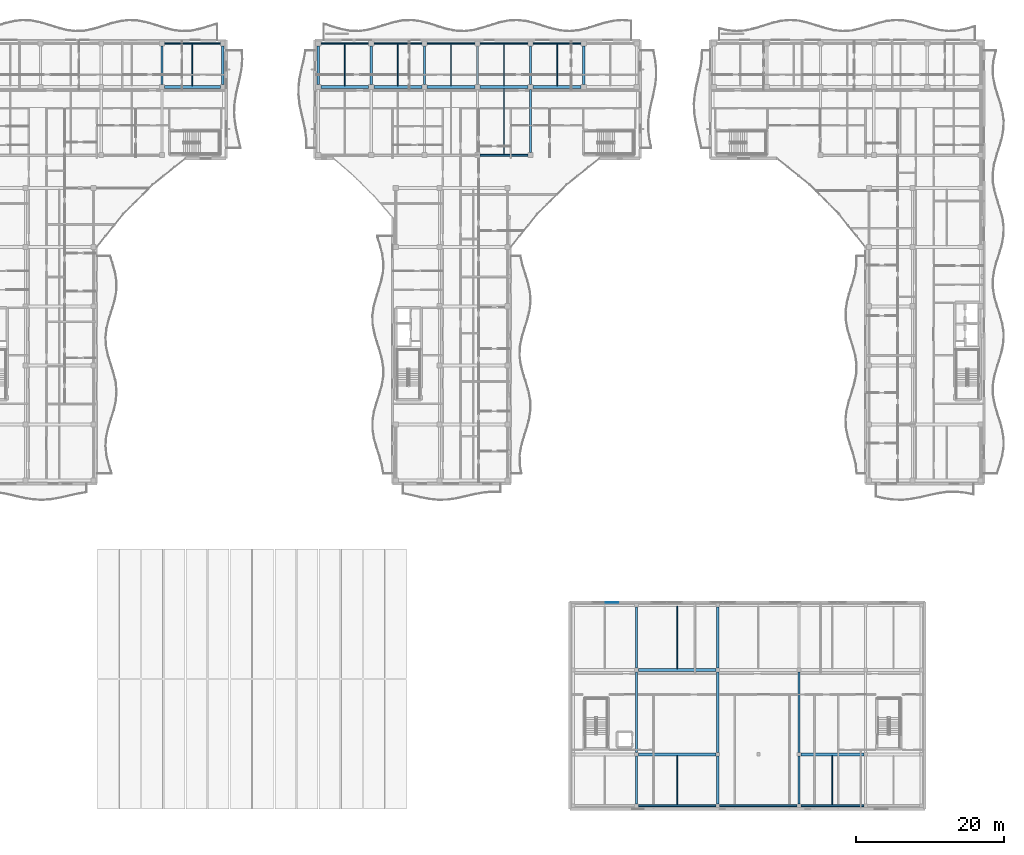
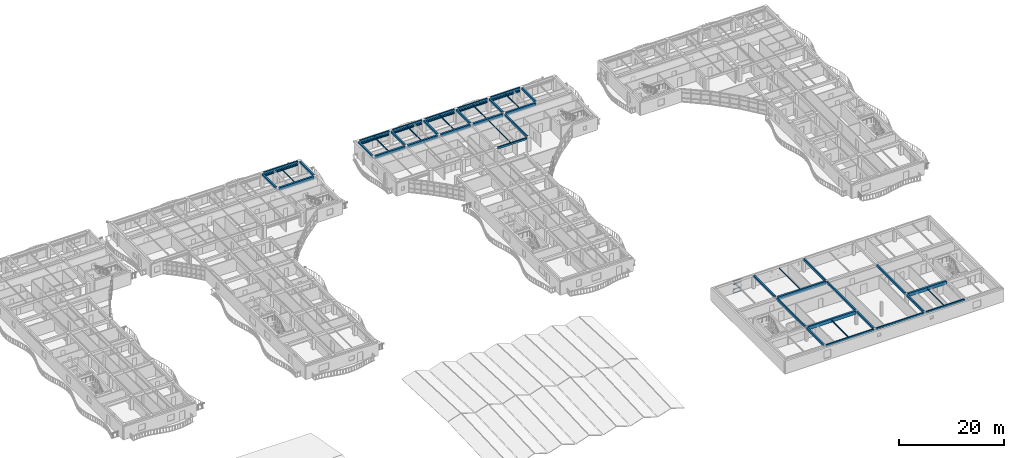
# One storey, part 24 of 89: 46 beams, 16 members, 1 element without a shape of its own.
"""IFC4 building model written with IfcOpenShell, lengths in metres."""

from ifc_helpers import new_model, si_unit, direction, frame, origin, origin_2d, place, context, subcontext, project, spatial, rectangle, hollow_rectangle, i_section, extrude, material, layer, layer_set, material_profile, profile_set, type_object, element, aggregate, save


model = new_model("IFC4")

# Units and contexts
model_context = context("Model", 3, precision=1e-05, world=origin(), true_north=direction((0.0, 1.0)))
body_context = subcontext(model_context, "Body", "Model", "MODEL_VIEW")
ifc_project = project(units=[si_unit("LENGTHUNIT", "METRE"), si_unit("AREAUNIT", "SQUARE_METRE"), si_unit("VOLUMEUNIT", "CUBIC_METRE"), si_unit("PLANEANGLEUNIT", "RADIAN"), si_unit("MASSUNIT", "GRAM", prefix="KILO")], contexts=[model_context])

# Site, building, storey
site_placement = place(None, origin())
site = spatial("IfcSite", under=ifc_project, at=site_placement, CompositionType="ELEMENT")
building_placement = place(site_placement, origin())
building = spatial("IfcBuilding", under=site, at=building_placement, Name="Keldmere Railside Commons", CompositionType="ELEMENT")
storey_placement = place(building_placement, frame((0.0, 0.0, 7.360107421875)))
storey = spatial("IfcBuildingStorey", under=building, at=storey_placement, Name="L02", CompositionType="ELEMENT", Elevation=7.360107421875)

# Members
ifc_material_1 = material(Name="Steel F-36 (S355)", Category="steel")
ifc_material_profile_1 = material_profile(ifc_material_1, hollow_rectangle(XDim=0.14990234375, YDim=0.25, WallThickness=0.010009765625, at=origin_2d()), Name="RHS-250x150x10")
ifc_profile_set_1 = profile_set([ifc_material_profile_1], Name="Steel F-36 (S355)")
member_type_1 = type_object("IfcMemberType", Name="Balcony Continuous Planted Trough RHS250x150", PredefinedType="CHORD", material=ifc_profile_set_1)
member_1_placement = place(storey_placement, frame((73.155029296875, 115.550048828125, 2.414794921875), z_axis=(1.0, 0.0, 0.0), x_axis=(0.0, 1.0, 0.0)))
element("IfcMember", 1, at=member_1_placement, inside=storey, type_object=member_type_1, Name="PLT-1 MEM-BPLT-0245", PredefinedType="CHORD", context=body_context, shape_type="SweptSolid", body=[
    extrude(hollow_rectangle(XDim=0.14990234375, YDim=0.25, WallThickness=0.010009765625, at=origin_2d()), origin(), (0.0, 0.0, 1.0), 7.570068359375),
])
member_2_placement = place(storey_placement, frame((94.300048828125, 115.550048828125, 2.414794921875), z_axis=(1.0, 0.0, 0.0), x_axis=(0.0, 1.0, 0.0)))
element("IfcMember", 2, at=member_2_placement, inside=storey, type_object=member_type_1, Name="PLT-1 MEM-BPLT-0271", PredefinedType="CHORD", context=body_context, shape_type="SweptSolid", body=[
    extrude(hollow_rectangle(XDim=0.14990234375, YDim=0.25, WallThickness=0.010009765625, at=origin_2d()), origin(), (0.0, 0.0, 1.0), 6.48291015625),
])
member_3_placement = place(storey_placement, frame((101.48291015625, 115.550048828125, 2.414794921875), z_axis=(1.0, 0.0, 0.0), x_axis=(0.0, 1.0, 0.0)))
element("IfcMember", 3, at=member_3_placement, inside=storey, type_object=member_type_1, Name="PLT-1 MEM-BPLT-0273", PredefinedType="CHORD", context=body_context, shape_type="SweptSolid", body=[
    extrude(hollow_rectangle(XDim=0.14990234375, YDim=0.25, WallThickness=0.010009765625, at=origin_2d()), origin(), (0.0, 0.0, 1.0), 6.484130859375),
])
for number, where, z_axis, x_axis, name in (
    (4, (108.6669921875, 115.550048828125, 2.414794921875), (1.0, 0.0, 0.0), (0.0, 1.0, 0.0), "PLT-1 MEM-BPLT-0275"),
    (5, (115.85009765625, 115.550048828125, 2.414794921875), (1.0, 0.0, 0.0), (0.0, 1.0, 0.0), "PLT-1 MEM-BPLT-0277"),
):
    element("IfcMember", number, at=place(storey_placement, frame(where, z_axis=z_axis, x_axis=x_axis)), inside=storey, type_object=member_type_1, Name=name, PredefinedType="CHORD", context=body_context, shape_type="SweptSolid", body=[
        extrude(hollow_rectangle(XDim=0.14990234375, YDim=0.25, WallThickness=0.010009765625, at=origin_2d()), origin(), (0.0, 0.0, 1.0), 6.48291015625),
    ])
member_4_placement = place(storey_placement, frame((123.032958984375, 115.550048828125, 2.414794921875), z_axis=(1.0, 0.0, 0.0), x_axis=(0.0, 1.0, 0.0)))
element("IfcMember", 6, at=member_4_placement, inside=storey, type_object=member_type_1, Name="PLT-1 MEM-BPLT-0279", PredefinedType="CHORD", context=body_context, shape_type="SweptSolid", body=[
    extrude(hollow_rectangle(XDim=0.14990234375, YDim=0.25, WallThickness=0.010009765625, at=origin_2d()), origin(), (0.0, 0.0, 1.0), 6.484130859375),
])

# Beams
ifc_material_2 = material(Name="Concrete H-35 (C35/45)", Category="concrete")
ifc_material_profile_2 = material_profile(ifc_material_2, rectangle(XDim=0.39990234375, YDim=0.75, at=origin_2d()), Name="RC-400x750")
ifc_profile_set_2 = profile_set([ifc_material_profile_2], Name="Concrete H-35 (C35/45)")
beam_type_1 = type_object("IfcBeamType", Name="Civic Frame RC Girder 400x750", PredefinedType="BEAM", material=ifc_profile_set_2)
beam_1_placement = place(storey_placement, frame((137.25, 19.39990234375, 2.824951171875), z_axis=(1.0, 0.0, 0.0), x_axis=(0.0, 1.0, 0.0)))
element("IfcBeam", 7, at=beam_1_placement, inside=storey, type_object=beam_type_1, Name="BG-2 BM-L02-1055", PredefinedType="BEAM", context=body_context, shape_type="SweptSolid", body=[
    extrude(rectangle(XDim=0.39990234375, YDim=0.75, at=origin_2d()), origin(), (0.0, 0.0, 1.0), 10.5),
])
beam_2_placement = place(storey_placement, frame((159.25, 19.39990234375, 2.824951171875), z_axis=(1.0, 0.0, 0.0), x_axis=(0.0, 1.0, 0.0)))
element("IfcBeam", 8, at=beam_2_placement, inside=storey, type_object=beam_type_1, Name="BG-2 BM-L02-1056", PredefinedType="BEAM", context=body_context, shape_type="SweptSolid", body=[
    extrude(rectangle(XDim=0.39990234375, YDim=0.75, at=origin_2d()), origin(), (0.0, 0.0, 1.0), 8.5),
])
beam_3_placement = place(storey_placement, frame((137.25, 30.800048828125, 2.824951171875), z_axis=(1.0, 0.0, 0.0), x_axis=(0.0, 1.0, 0.0)))
element("IfcBeam", 9, at=beam_3_placement, inside=storey, type_object=beam_type_1, Name="BG-2 BM-L02-1059", PredefinedType="BEAM", context=body_context, shape_type="SweptSolid", body=[
    extrude(rectangle(XDim=0.39990234375, YDim=0.75, at=origin_2d()), origin(), (0.0, 0.0, 1.0), 10.5),
])
ifc_material_profile_3 = material_profile(ifc_material_1, i_section(OverallWidth=0.1201171875, OverallDepth=0.239990234375, WebThickness=0.006103515625, FlangeThickness=0.009765625, at=origin_2d()), Name="IPE-240")
ifc_profile_set_3 = profile_set([ifc_material_profile_3], Name="Steel F-36 (S355)")
beam_type_2 = type_object("IfcBeamType", Name="Nursery & Mezzanine Steel Joist IPE240", PredefinedType="JOIST", material=ifc_profile_set_3)
for number, where, z_axis, x_axis, name in (
    (10, (142.5, 12.574951171875, 2.809814453125), (0.0, 1.0, 0.0), (-1.0, 0.0, 0.0), "JST-2 BM-L02-1272"),
    (11, (163.5, 12.574951171875, 2.809814453125), (0.0, 1.0, 0.0), (-1.0, 0.0, 0.0), "JST-2 BM-L02-1273"),
):
    element("IfcBeam", number, at=place(storey_placement, frame(where, z_axis=z_axis, x_axis=x_axis)), inside=storey, type_object=beam_type_2, Name=name, PredefinedType="JOIST", context=body_context, shape_type="SweptSolid", body=[
        extrude(i_section(OverallWidth=0.1201171875, OverallDepth=0.239990234375, WebThickness=0.006103515625, FlangeThickness=0.009765625, at=origin_2d()), origin(), (0.0, 0.0, 1.0), 6.625),
    ])
beam_4_placement = place(storey_placement, frame((142.5, 31.0, 2.809814453125), z_axis=(0.0, 1.0, 0.0), x_axis=(-1.0, 0.0, 0.0)))
element("IfcBeam", 12, at=beam_4_placement, inside=storey, type_object=beam_type_2, Name="JST-2 BM-L02-1276", PredefinedType="JOIST", context=body_context, shape_type="SweptSolid", body=[
    extrude(i_section(OverallWidth=0.1201171875, OverallDepth=0.239990234375, WebThickness=0.006103515625, FlangeThickness=0.009765625, at=origin_2d()), origin(), (0.0, 0.0, 1.0), 8.425048828125),
])
beam_5_placement = place(storey_placement, frame((119.091064453125, 100.574951171875, 2.809814453125), z_axis=(0.0, 1.0, 0.0), x_axis=(-1.0, 0.0, 0.0)))
element("IfcBeam", 13, at=beam_5_placement, inside=storey, type_object=beam_type_2, Name="JST-2 BM-L02-1306", PredefinedType="JOIST", context=body_context, shape_type="SweptSolid", body=[
    extrude(i_section(OverallWidth=0.1201171875, OverallDepth=0.239990234375, WebThickness=0.006103515625, FlangeThickness=0.009765625, at=origin_2d()), origin(), (0.0, 0.0, 1.0), 8.875),
])
for number, where, z_axis, x_axis, name in (
    (14, (76.93994140625, 109.85009765625, 2.809814453125), (0.0, 1.0, 0.0), (-1.0, 0.0, 0.0), "JST-2 BM-L02-1317"),
    (15, (97.541015625, 109.85009765625, 2.809814453125), (0.0, 1.0, 0.0), (-1.0, 0.0, 0.0), "JST-2 BM-L02-1318"),
    (16, (104.72509765625, 109.85009765625, 2.809814453125), (0.0, 1.0, 0.0), (-1.0, 0.0, 0.0), "JST-2 BM-L02-1319"),
    (17, (111.908935546875, 109.85009765625, 2.809814453125), (0.0, 1.0, 0.0), (-1.0, 0.0, 0.0), "JST-2 BM-L02-1320"),
    (18, (119.091064453125, 109.85009765625, 2.809814453125), (0.0, 1.0, 0.0), (-1.0, 0.0, 0.0), "JST-2 BM-L02-1321"),
    (19, (126.27490234375, 109.85009765625, 2.809814453125), (0.0, 1.0, 0.0), (-1.0, 0.0, 0.0), "JST-2 BM-L02-1322"),
):
    element("IfcBeam", number, at=place(storey_placement, frame(where, z_axis=z_axis, x_axis=x_axis)), inside=storey, type_object=beam_type_2, Name=name, PredefinedType="JOIST", context=body_context, shape_type="SweptSolid", body=[
        extrude(i_section(OverallWidth=0.1201171875, OverallDepth=0.239990234375, WebThickness=0.006103515625, FlangeThickness=0.009765625, at=origin_2d()), origin(), (0.0, 0.0, 1.0), 5.574951171875),
    ])
ifc_material_3 = material(Name="Architectural Precast Concrete H-35 (C35/45)", Category="concrete")
ifc_material_profile_4 = material_profile(ifc_material_3, rectangle(XDim=0.25, YDim=0.449951171875, at=origin_2d()), Name="RC-250x450")
ifc_profile_set_4 = profile_set([ifc_material_profile_4], Name="Architectural Precast Concrete H-35 (C35/45)")
beam_type_3 = type_object("IfcBeamType", Name="Perimeter Precast Spandrel Beam 250x450", PredefinedType="SPANDREL", material=ifc_profile_set_4)
for number, where, z_axis, x_axis, name in (
    (20, (137.25, 12.449951171875, 2.974853515625), (1.0, 0.0, 0.0), (0.0, 1.0, 0.0), "SPB-1 BM-L02-1050"),
    (21, (148.25, 12.449951171875, 2.974853515625), (1.0, 0.0, 0.0), (0.0, 1.0, 0.0), "SPB-1 BM-L02-1051"),
):
    element("IfcBeam", number, at=place(storey_placement, frame(where, z_axis=z_axis, x_axis=x_axis)), inside=storey, type_object=beam_type_3, Name=name, PredefinedType="SPANDREL", context=body_context, shape_type="SweptSolid", body=[
        extrude(rectangle(XDim=0.25, YDim=0.449951171875, at=origin_2d()), origin(), (0.0, 0.0, 1.0), 10.5),
    ])
beam_6_placement = place(storey_placement, frame((159.25, 12.449951171875, 2.974853515625), z_axis=(1.0, 0.0, 0.0), x_axis=(0.0, 1.0, 0.0)))
element("IfcBeam", 22, at=beam_6_placement, inside=storey, type_object=beam_type_3, Name="SPB-1 BM-L02-1052", PredefinedType="SPANDREL", context=body_context, shape_type="SweptSolid", body=[
    extrude(rectangle(XDim=0.25, YDim=0.449951171875, at=origin_2d()), origin(), (0.0, 0.0, 1.0), 8.5),
])
beam_7_placement = place(storey_placement, frame((115.85009765625, 100.449951171875, 2.974853515625), z_axis=(1.0, 0.0, 0.0), x_axis=(0.0, 1.0, 0.0)))
element("IfcBeam", 23, at=beam_7_placement, inside=storey, type_object=beam_type_3, Name="SPB-1 BM-L02-1115", PredefinedType="SPANDREL", context=body_context, shape_type="SweptSolid", body=[
    extrude(rectangle(XDim=0.25, YDim=0.449951171875, at=origin_2d()), origin(), (0.0, 0.0, 1.0), 6.48291015625),
])
beam_8_placement = place(storey_placement, frame((73.155029296875, 115.550048828125, 2.974853515625), z_axis=(1.0, 0.0, 0.0), x_axis=(0.0, 1.0, 0.0)))
element("IfcBeam", 24, at=beam_8_placement, inside=storey, type_object=beam_type_3, Name="SPB-1 BM-L02-1144", PredefinedType="SPANDREL", context=body_context, shape_type="SweptSolid", body=[
    extrude(rectangle(XDim=0.25, YDim=0.449951171875, at=origin_2d()), origin(), (0.0, 0.0, 1.0), 7.570068359375),
])
beam_9_placement = place(storey_placement, frame((94.300048828125, 115.550048828125, 2.974853515625), z_axis=(1.0, 0.0, 0.0), x_axis=(0.0, 1.0, 0.0)))
element("IfcBeam", 25, at=beam_9_placement, inside=storey, type_object=beam_type_3, Name="SPB-1 BM-L02-1145", PredefinedType="SPANDREL", context=body_context, shape_type="SweptSolid", body=[
    extrude(rectangle(XDim=0.25, YDim=0.449951171875, at=origin_2d()), origin(), (0.0, 0.0, 1.0), 6.48291015625),
])
beam_10_placement = place(storey_placement, frame((101.48291015625, 115.550048828125, 2.974853515625), z_axis=(1.0, 0.0, 0.0), x_axis=(0.0, 1.0, 0.0)))
element("IfcBeam", 26, at=beam_10_placement, inside=storey, type_object=beam_type_3, Name="SPB-1 BM-L02-1146", PredefinedType="SPANDREL", context=body_context, shape_type="SweptSolid", body=[
    extrude(rectangle(XDim=0.25, YDim=0.449951171875, at=origin_2d()), origin(), (0.0, 0.0, 1.0), 6.484130859375),
])
for number, where, z_axis, x_axis, name in (
    (27, (108.6669921875, 115.550048828125, 2.974853515625), (1.0, 0.0, 0.0), (0.0, 1.0, 0.0), "SPB-1 BM-L02-1147"),
    (28, (115.85009765625, 115.550048828125, 2.974853515625), (1.0, 0.0, 0.0), (0.0, 1.0, 0.0), "SPB-1 BM-L02-1148"),
):
    element("IfcBeam", number, at=place(storey_placement, frame(where, z_axis=z_axis, x_axis=x_axis)), inside=storey, type_object=beam_type_3, Name=name, PredefinedType="SPANDREL", context=body_context, shape_type="SweptSolid", body=[
        extrude(rectangle(XDim=0.25, YDim=0.449951171875, at=origin_2d()), origin(), (0.0, 0.0, 1.0), 6.48291015625),
    ])
beam_11_placement = place(storey_placement, frame((123.032958984375, 115.550048828125, 2.974853515625), z_axis=(1.0, 0.0, 0.0), x_axis=(0.0, 1.0, 0.0)))
element("IfcBeam", 29, at=beam_11_placement, inside=storey, type_object=beam_type_3, Name="SPB-1 BM-L02-1149", PredefinedType="SPANDREL", context=body_context, shape_type="SweptSolid", body=[
    extrude(rectangle(XDim=0.25, YDim=0.449951171875, at=origin_2d()), origin(), (0.0, 0.0, 1.0), 6.484130859375),
])
ifc_material_4 = material(Name="Concrete H-30 (C30/37)", Category="concrete")
ifc_material_profile_5 = material_profile(ifc_material_4, rectangle(XDim=0.39990234375, YDim=0.64990234375, at=origin_2d()), Name="RC-400x650")
ifc_profile_set_5 = profile_set([ifc_material_profile_5], Name="Concrete H-30 (C30/37)")
beam_type_4 = type_object("IfcBeamType", Name="Residential Spine RC Girder 400x650", PredefinedType="BEAM", material=ifc_profile_set_5)
beam_12_placement = place(storey_placement, frame((73.155029296875, 109.64990234375, 2.875), z_axis=(1.0, 0.0, 0.0), x_axis=(0.0, 1.0, 0.0)))
element("IfcBeam", 30, at=beam_12_placement, inside=storey, type_object=beam_type_4, Name="BG-3 BM-L02-1125", PredefinedType="BEAM", context=body_context, shape_type="SweptSolid", body=[
    extrude(rectangle(XDim=0.39990234375, YDim=0.64990234375, at=origin_2d()), origin(), (0.0, 0.0, 1.0), 7.570068359375),
])
beam_13_placement = place(storey_placement, frame((94.300048828125, 109.64990234375, 2.875), z_axis=(1.0, 0.0, 0.0), x_axis=(0.0, 1.0, 0.0)))
element("IfcBeam", 31, at=beam_13_placement, inside=storey, type_object=beam_type_4, Name="BG-3 BM-L02-1126", PredefinedType="BEAM", context=body_context, shape_type="SweptSolid", body=[
    extrude(rectangle(XDim=0.39990234375, YDim=0.64990234375, at=origin_2d()), origin(), (0.0, 0.0, 1.0), 6.48291015625),
])
beam_14_placement = place(storey_placement, frame((101.48291015625, 109.64990234375, 2.875), z_axis=(1.0, 0.0, 0.0), x_axis=(0.0, 1.0, 0.0)))
element("IfcBeam", 32, at=beam_14_placement, inside=storey, type_object=beam_type_4, Name="BG-3 BM-L02-1127", PredefinedType="BEAM", context=body_context, shape_type="SweptSolid", body=[
    extrude(rectangle(XDim=0.39990234375, YDim=0.64990234375, at=origin_2d()), origin(), (0.0, 0.0, 1.0), 6.484130859375),
])
for number, where, z_axis, x_axis, name in (
    (33, (108.6669921875, 109.64990234375, 2.875), (1.0, 0.0, 0.0), (0.0, 1.0, 0.0), "BG-3 BM-L02-1128"),
    (34, (115.85009765625, 109.64990234375, 2.875), (1.0, 0.0, 0.0), (0.0, 1.0, 0.0), "BG-3 BM-L02-1129"),
):
    element("IfcBeam", number, at=place(storey_placement, frame(where, z_axis=z_axis, x_axis=x_axis)), inside=storey, type_object=beam_type_4, Name=name, PredefinedType="BEAM", context=body_context, shape_type="SweptSolid", body=[
        extrude(rectangle(XDim=0.39990234375, YDim=0.64990234375, at=origin_2d()), origin(), (0.0, 0.0, 1.0), 6.48291015625),
    ])
beam_15_placement = place(storey_placement, frame((123.032958984375, 109.64990234375, 2.875), z_axis=(1.0, 0.0, 0.0), x_axis=(0.0, 1.0, 0.0)))
element("IfcBeam", 35, at=beam_15_placement, inside=storey, type_object=beam_type_4, Name="BG-3 BM-L02-1130", PredefinedType="BEAM", context=body_context, shape_type="SweptSolid", body=[
    extrude(rectangle(XDim=0.39990234375, YDim=0.64990234375, at=origin_2d()), origin(), (0.0, 0.0, 1.0), 6.484130859375),
])
ifc_material_profile_6 = material_profile(ifc_material_4, rectangle(XDim=0.300048828125, YDim=0.5, at=origin_2d()), Name="RC-300x500")
ifc_profile_set_6 = profile_set([ifc_material_profile_6], Name="Concrete H-30 (C30/37)")
beam_type_5 = type_object("IfcBeamType", Name="Secondary Frame RC Beam 300x500", PredefinedType="BEAM", material=ifc_profile_set_6)
for number, where, z_axis, x_axis, name in (
    (36, (72.830078125, 109.97509765625, 2.949951171875), (0.0, 1.0, 0.0), (-1.0, 0.0, 0.0), "BG-5 BM-L02-1198"),
    (37, (81.050048828125, 109.97509765625, 2.949951171875), (0.0, 1.0, 0.0), (-1.0, 0.0, 0.0), "BG-5 BM-L02-1199"),
):
    element("IfcBeam", number, at=place(storey_placement, frame(where, z_axis=z_axis, x_axis=x_axis)), inside=storey, type_object=beam_type_5, Name=name, PredefinedType="BEAM", context=body_context, shape_type="SweptSolid", body=[
        extrude(rectangle(XDim=0.300048828125, YDim=0.5, at=origin_2d()), origin(), (0.0, 0.0, 1.0), 5.25),
    ])
for number, where, z_axis, x_axis, name in (
    (38, (93.949951171875, 110.0, 2.949951171875), (0.0, 1.0, 0.0), (-1.0, 0.0, 0.0), "BG-5 BM-L02-1201"),
    (39, (101.133056640625, 110.0, 2.949951171875), (0.0, 1.0, 0.0), (-1.0, 0.0, 0.0), "BG-5 BM-L02-1203"),
    (40, (108.31689453125, 110.0, 2.949951171875), (0.0, 1.0, 0.0), (-1.0, 0.0, 0.0), "BG-5 BM-L02-1207"),
    (41, (115.5, 110.0, 2.949951171875), (0.0, 1.0, 0.0), (-1.0, 0.0, 0.0), "BG-5 BM-L02-1214"),
):
    element("IfcBeam", number, at=place(storey_placement, frame(where, z_axis=z_axis, x_axis=x_axis)), inside=storey, type_object=beam_type_5, Name=name, PredefinedType="BEAM", context=body_context, shape_type="SweptSolid", body=[
        extrude(rectangle(XDim=0.300048828125, YDim=0.5, at=origin_2d()), origin(), (0.0, 0.0, 1.0), 5.199951171875),
    ])
beam_16_placement = place(storey_placement, frame((122.68310546875, 100.800048828125, 2.949951171875), z_axis=(0.0, 1.0, 0.0), x_axis=(-1.0, 0.0, 0.0)))
element("IfcBeam", 42, at=beam_16_placement, inside=storey, type_object=beam_type_5, Name="BG-5 BM-L02-1224", PredefinedType="BEAM", context=body_context, shape_type="SweptSolid", body=[
    extrude(rectangle(XDim=0.300048828125, YDim=0.5, at=origin_2d()), origin(), (0.0, 0.0, 1.0), 8.5),
])
for number, where, z_axis, x_axis, name in (
    (43, (122.68310546875, 110.0, 2.949951171875), (0.0, 1.0, 0.0), (-1.0, 0.0, 0.0), "BG-5 BM-L02-1225"),
    (44, (129.866943359375, 110.0, 2.949951171875), (0.0, 1.0, 0.0), (-1.0, 0.0, 0.0), "BG-5 BM-L02-1229"),
):
    element("IfcBeam", number, at=place(storey_placement, frame(where, z_axis=z_axis, x_axis=x_axis)), inside=storey, type_object=beam_type_5, Name=name, PredefinedType="BEAM", context=body_context, shape_type="SweptSolid", body=[
        extrude(rectangle(XDim=0.300048828125, YDim=0.5, at=origin_2d()), origin(), (0.0, 0.0, 1.0), 5.199951171875),
    ])
beam_17_placement = place(storey_placement, frame((137.0, 12.699951171875, 2.949951171875), z_axis=(0.0, 1.0, 0.0), x_axis=(-1.0, 0.0, 0.0)))
element("IfcBeam", 45, at=beam_17_placement, inside=storey, type_object=beam_type_5, Name="BG-5 BM-L02-1230", PredefinedType="BEAM", context=body_context, shape_type="SweptSolid", body=[
    extrude(rectangle(XDim=0.300048828125, YDim=0.5, at=origin_2d()), origin(), (0.0, 0.0, 1.0), 6.449951171875),
])
beam_18_placement = place(storey_placement, frame((137.0, 19.64990234375, 2.949951171875), z_axis=(0.0, 1.0, 0.0), x_axis=(-1.0, 0.0, 0.0)))
element("IfcBeam", 46, at=beam_18_placement, inside=storey, type_object=beam_type_5, Name="BG-5 BM-L02-1231", PredefinedType="BEAM", context=body_context, shape_type="SweptSolid", body=[
    extrude(rectangle(XDim=0.300048828125, YDim=0.5, at=origin_2d()), origin(), (0.0, 0.0, 1.0), 10.900146484375),
])
beam_19_placement = place(storey_placement, frame((137.0, 31.050048828125, 2.949951171875), z_axis=(0.0, 1.0, 0.0), x_axis=(-1.0, 0.0, 0.0)))
element("IfcBeam", 47, at=beam_19_placement, inside=storey, type_object=beam_type_5, Name="BG-5 BM-L02-1232", PredefinedType="BEAM", context=body_context, shape_type="SweptSolid", body=[
    extrude(rectangle(XDim=0.300048828125, YDim=0.5, at=origin_2d()), origin(), (0.0, 0.0, 1.0), 8.25),
])
beam_20_placement = place(storey_placement, frame((148.0, 12.699951171875, 2.949951171875), z_axis=(0.0, 1.0, 0.0), x_axis=(-1.0, 0.0, 0.0)))
element("IfcBeam", 48, at=beam_20_placement, inside=storey, type_object=beam_type_5, Name="BG-5 BM-L02-1235", PredefinedType="BEAM", context=body_context, shape_type="SweptSolid", body=[
    extrude(rectangle(XDim=0.300048828125, YDim=0.5, at=origin_2d()), origin(), (0.0, 0.0, 1.0), 6.449951171875),
])
beam_21_placement = place(storey_placement, frame((148.0, 19.64990234375, 2.949951171875), z_axis=(0.0, 1.0, 0.0), x_axis=(-1.0, 0.0, 0.0)))
element("IfcBeam", 49, at=beam_21_placement, inside=storey, type_object=beam_type_5, Name="BG-5 BM-L02-1236", PredefinedType="BEAM", context=body_context, shape_type="SweptSolid", body=[
    extrude(rectangle(XDim=0.300048828125, YDim=0.5, at=origin_2d()), origin(), (0.0, 0.0, 1.0), 10.900146484375),
])
beam_22_placement = place(storey_placement, frame((148.0, 31.050048828125, 2.949951171875), z_axis=(0.0, 1.0, 0.0), x_axis=(-1.0, 0.0, 0.0)))
element("IfcBeam", 50, at=beam_22_placement, inside=storey, type_object=beam_type_5, Name="BG-5 BM-L02-1237", PredefinedType="BEAM", context=body_context, shape_type="SweptSolid", body=[
    extrude(rectangle(XDim=0.300048828125, YDim=0.5, at=origin_2d()), origin(), (0.0, 0.0, 1.0), 8.25),
])
beam_23_placement = place(storey_placement, frame((159.0, 12.699951171875, 2.949951171875), z_axis=(0.0, 1.0, 0.0), x_axis=(-1.0, 0.0, 0.0)))
element("IfcBeam", 51, at=beam_23_placement, inside=storey, type_object=beam_type_5, Name="BG-5 BM-L02-1239", PredefinedType="BEAM", context=body_context, shape_type="SweptSolid", body=[
    extrude(rectangle(XDim=0.300048828125, YDim=0.5, at=origin_2d()), origin(), (0.0, 0.0, 1.0), 6.449951171875),
])
beam_24_placement = place(storey_placement, frame((159.0, 19.64990234375, 2.949951171875), z_axis=(0.0, 1.0, 0.0), x_axis=(-1.0, 0.0, 0.0)))
element("IfcBeam", 52, at=beam_24_placement, inside=storey, type_object=beam_type_5, Name="BG-5 BM-L02-1240", PredefinedType="BEAM", context=body_context, shape_type="SweptSolid", body=[
    extrude(rectangle(XDim=0.300048828125, YDim=0.5, at=origin_2d()), origin(), (0.0, 0.0, 1.0), 10.900146484375),
])

# Members
ifc_material_profile_7 = material_profile(ifc_material_1, hollow_rectangle(XDim=0.10009765625, YDim=0.159912109375, WallThickness=0.008056640625, at=origin_2d()), Name="RHS-160x100x8")
ifc_profile_set_7 = profile_set([ifc_material_profile_7], Name="Steel F-36 (S355)")
member_type_2 = type_object("IfcMemberType", Name="Solar Brise-Soleil Louvre Fin RHS160x100", PredefinedType="STRUT", material=ifc_profile_set_7)
member_5_placement = place(storey_placement, frame((73.155029296875, 115.550048828125, 2.199951171875), z_axis=(1.0, 0.0, 0.0), x_axis=(0.0, 1.0, 0.0)))
element("IfcMember", 53, at=member_5_placement, inside=storey, type_object=member_type_2, Name="BSF-1 MEM-BSF-0246", PredefinedType="STRUT", context=body_context, shape_type="SweptSolid", body=[
    extrude(hollow_rectangle(XDim=0.10009765625, YDim=0.159912109375, WallThickness=0.008056640625, at=origin_2d()), origin(), (0.0, 0.0, 1.0), 7.570068359375),
])
member_6_placement = place(storey_placement, frame((94.300048828125, 115.550048828125, 2.199951171875), z_axis=(1.0, 0.0, 0.0), x_axis=(0.0, 1.0, 0.0)))
element("IfcMember", 54, at=member_6_placement, inside=storey, type_object=member_type_2, Name="BSF-1 MEM-BSF-0272", PredefinedType="STRUT", context=body_context, shape_type="SweptSolid", body=[
    extrude(hollow_rectangle(XDim=0.10009765625, YDim=0.159912109375, WallThickness=0.008056640625, at=origin_2d()), origin(), (0.0, 0.0, 1.0), 6.48291015625),
])
member_7_placement = place(storey_placement, frame((101.48291015625, 115.550048828125, 2.199951171875), z_axis=(1.0, 0.0, 0.0), x_axis=(0.0, 1.0, 0.0)))
element("IfcMember", 55, at=member_7_placement, inside=storey, type_object=member_type_2, Name="BSF-1 MEM-BSF-0274", PredefinedType="STRUT", context=body_context, shape_type="SweptSolid", body=[
    extrude(hollow_rectangle(XDim=0.10009765625, YDim=0.159912109375, WallThickness=0.008056640625, at=origin_2d()), origin(), (0.0, 0.0, 1.0), 6.484130859375),
])
for number, where, z_axis, x_axis, name in (
    (56, (108.6669921875, 115.550048828125, 2.199951171875), (1.0, 0.0, 0.0), (0.0, 1.0, 0.0), "BSF-1 MEM-BSF-0276"),
    (57, (115.85009765625, 115.550048828125, 2.199951171875), (1.0, 0.0, 0.0), (0.0, 1.0, 0.0), "BSF-1 MEM-BSF-0278"),
):
    element("IfcMember", number, at=place(storey_placement, frame(where, z_axis=z_axis, x_axis=x_axis)), inside=storey, type_object=member_type_2, Name=name, PredefinedType="STRUT", context=body_context, shape_type="SweptSolid", body=[
        extrude(hollow_rectangle(XDim=0.10009765625, YDim=0.159912109375, WallThickness=0.008056640625, at=origin_2d()), origin(), (0.0, 0.0, 1.0), 6.48291015625),
    ])
member_8_placement = place(storey_placement, frame((123.032958984375, 115.550048828125, 2.199951171875), z_axis=(1.0, 0.0, 0.0), x_axis=(0.0, 1.0, 0.0)))
element("IfcMember", 58, at=member_8_placement, inside=storey, type_object=member_type_2, Name="BSF-1 MEM-BSF-0280", PredefinedType="STRUT", context=body_context, shape_type="SweptSolid", body=[
    extrude(hollow_rectangle(XDim=0.10009765625, YDim=0.159912109375, WallThickness=0.008056640625, at=origin_2d()), origin(), (0.0, 0.0, 1.0), 6.484130859375),
])

# Curtain wall, members
ifc_material_5 = material(Name="Thermally Broken Aluminium", Category="aluminium")
ifc_layer = layer(ifc_material_5, 0.159912109375, Name="Market Arcade Upper Gallery CW 3600x2800")
ifc_layer_set = layer_set([ifc_layer], Name="Thermally Broken Aluminium")
curtain_wall_type = type_object("IfcCurtainWallType", Name="Market Arcade Upper Gallery CW 3600x2800", PredefinedType="NOTDEFINED", material=ifc_layer_set)
curtain_wall_placement = place(storey_placement, origin())
curtain_wall = element("IfcCurtainWall", 59, at=curtain_wall_placement, inside=storey, type_object=curtain_wall_type, Name="CW-03 CW-L02-224", PredefinedType="NOTDEFINED")
ifc_material_profile_8 = material_profile(ifc_material_5, hollow_rectangle(XDim=0.06494140625, YDim=0.1201171875, WallThickness=0.00390625, at=origin_2d()), Name="ALU-TRAN-65x120")
ifc_profile_set_8 = profile_set([ifc_material_profile_8], Name="Thermally Broken Aluminium")
member_type_3 = type_object("IfcMemberType", Name="Unitised Curtain Wall Transom 65x120", PredefinedType="USERDEFINED", material=ifc_profile_set_8)
member_9_placement = place(storey_placement, frame((132.83251953125, 39.949951171875, 0.032470703125), z_axis=(1.0, 0.0, 0.0), x_axis=(0.0, 1.0, 0.0)))
member_9 = element("IfcMember", 60, at=member_9_placement, type_object=member_type_3, Name="CW-03 transom 2.1", ObjectType="TRANSOM", PredefinedType="USERDEFINED", context=body_context, shape_type="SweptSolid", body=[
    extrude(hollow_rectangle(XDim=0.06494140625, YDim=0.1201171875, WallThickness=0.00390625, at=origin_2d()), origin(), (0.0, 0.0, 1.0), 1.702392578125),
])
member_10_placement = place(storey_placement, frame((132.83251953125, 39.949951171875, 0.89990234375), z_axis=(1.0, 0.0, 0.0), x_axis=(0.0, 1.0, 0.0)))
member_10 = element("IfcMember", 61, at=member_10_placement, type_object=member_type_3, Name="CW-03 transom 2.2", ObjectType="TRANSOM", PredefinedType="USERDEFINED", context=body_context, shape_type="SweptSolid", body=[
    extrude(hollow_rectangle(XDim=0.06494140625, YDim=0.1201171875, WallThickness=0.00390625, at=origin_2d()), origin(), (0.0, 0.0, 1.0), 1.702392578125),
])
member_11_placement = place(storey_placement, frame((132.83251953125, 39.949951171875, 2.0498046875), z_axis=(1.0, 0.0, 0.0), x_axis=(0.0, 1.0, 0.0)))
member_11 = element("IfcMember", 62, at=member_11_placement, type_object=member_type_3, Name="CW-03 transom 2.3", ObjectType="TRANSOM", PredefinedType="USERDEFINED", context=body_context, shape_type="SweptSolid", body=[
    extrude(hollow_rectangle(XDim=0.06494140625, YDim=0.1201171875, WallThickness=0.00390625, at=origin_2d()), origin(), (0.0, 0.0, 1.0), 1.702392578125),
])
member_12_placement = place(storey_placement, frame((132.83251953125, 39.949951171875, 2.767333984375), z_axis=(1.0, 0.0, 0.0), x_axis=(0.0, 1.0, 0.0)))
member_12 = element("IfcMember", 63, at=member_12_placement, type_object=member_type_3, Name="CW-03 transom 2.4", ObjectType="TRANSOM", PredefinedType="USERDEFINED", context=body_context, shape_type="SweptSolid", body=[
    extrude(hollow_rectangle(XDim=0.06494140625, YDim=0.1201171875, WallThickness=0.00390625, at=origin_2d()), origin(), (0.0, 0.0, 1.0), 1.702392578125),
])
aggregate(curtain_wall, [member_9, member_10, member_11, member_12])

save(model, "model.ifc")
